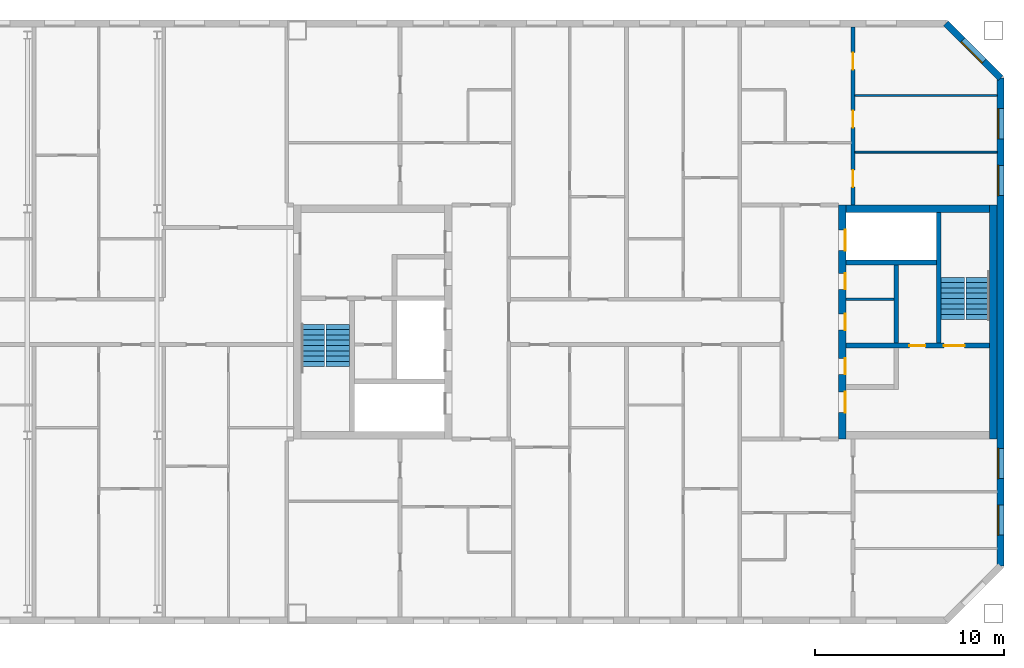
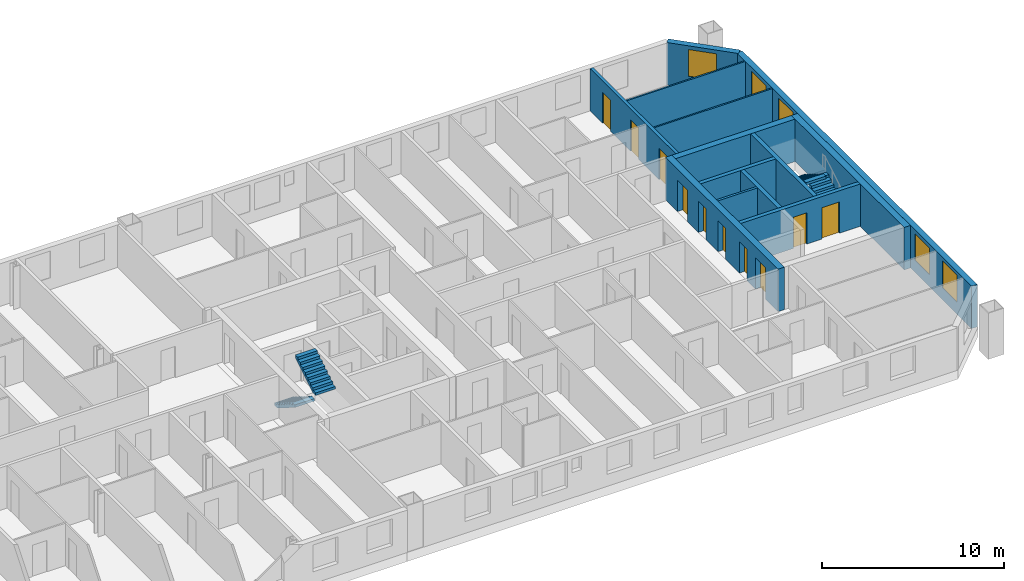
# One storey, part 17 of 19: 13 walls, 10 doors, 5 windows, 4 stair flights, 15 openings, 2 elements without a shape of their own.
"""IFC4 building model written with IfcOpenShell, lengths in metres."""

from ifc_helpers import new_model, si_unit, direction, frame, frame_2d, origin, place, context, subcontext, project, spatial, polyline, rectangle, outline, extrude, material, layer, layer_set, type_object, element, fill, aggregate, save


model = new_model("IFC4")

# Units and contexts
model_context = context("Model", 3, precision=1e-05, world=origin(), true_north=direction((0.0, 1.0)))
body_context = subcontext(model_context, "Body", "Model", "MODEL_VIEW")
ifc_project = project(units=[si_unit("LENGTHUNIT", "METRE"), si_unit("AREAUNIT", "SQUARE_METRE"), si_unit("VOLUMEUNIT", "CUBIC_METRE"), si_unit("PLANEANGLEUNIT", "RADIAN"), si_unit("MASSUNIT", "GRAM", prefix="KILO")], contexts=[model_context])

# Site, building, storey
site_placement = place(None, origin())
site = spatial("IfcSite", under=ifc_project, at=site_placement, CompositionType="ELEMENT")
building_placement = place(site_placement, origin())
building = spatial("IfcBuilding", under=site, at=building_placement, Name="Tuart Gate Housing", CompositionType="ELEMENT")
storey_placement = place(building_placement, frame((0.0, 0.0, 221.39990234375)))
storey = spatial("IfcBuildingStorey", under=building, at=storey_placement, Name="L62", CompositionType="ELEMENT", Elevation=221.39990234375)

# Wall, openings, windows
ifc_material_1 = material(Name="Brick", Category="masonry")
ifc_layer_1 = layer(ifc_material_1, 0.360107421875)
ifc_layer_set_1 = layer_set([ifc_layer_1], Name="Brick pier and spandrel wall 360")
wall_type_1 = type_object("IfcWallType", Name="Brick pier and spandrel wall 360", PredefinedType="STANDARD", material=ifc_layer_set_1)
wall_1_placement = place(storey_placement, frame((168.820068359375, 57.07470703125, 0.0), z_axis=(0.0, 0.0, 1.0), x_axis=(0.0, 1.0, 0.0)))
wall_1 = element("IfcWall", 1, at=wall_1_placement, inside=storey, type_object=wall_type_1, Name="External wall BLK-E L62", PredefinedType="STANDARD", context=body_context, shape_type="SweptSolid", body=[
    extrude(rectangle(XDim=25.850830078125, YDim=0.360107421875, at=frame_2d((12.92529296875, 0.0))), origin(), (0.0, 0.0, 1.0), 2.85009765625),
])
opening_1_placement = place(wall_1_placement, frame((1.62548828125, 0.0, 0.800048828125)))
opening_1 = element("IfcOpeningElement", 2, at=opening_1_placement, cuts=wall_1, Name="Opening W1", PredefinedType="OPENING", context=body_context, shape_type="SweptSolid", body=[
    extrude(rectangle(XDim=1.60009765625, YDim=1.800048828125, at=frame_2d((0.800048828125, 0.89990234375))), frame((0.0, 0.18994140625, 0.0), z_axis=(0.0, -1.0, 0.0), x_axis=(1.0, 0.0, 0.0)), (0.0, 0.0, 1.0), 0.380126953125),
])
opening_2_placement = place(wall_1_placement, frame((4.62548828125, 0.0, 0.800048828125)))
opening_2 = element("IfcOpeningElement", 3, at=opening_2_placement, cuts=wall_1, Name="Opening W1", PredefinedType="OPENING", context=body_context, shape_type="SweptSolid", body=[
    extrude(rectangle(XDim=1.60009765625, YDim=1.800048828125, at=frame_2d((0.800048828125, 0.89990234375))), frame((0.0, 0.18994140625, 0.0), z_axis=(0.0, -1.0, 0.0), x_axis=(1.0, 0.0, 0.0)), (0.0, 0.0, 1.0), 0.380126953125),
])
opening_3_placement = place(wall_1_placement, frame((19.62548828125, 0.0, 0.800048828125)))
opening_3 = element("IfcOpeningElement", 4, at=opening_3_placement, cuts=wall_1, Name="Opening W1", PredefinedType="OPENING", context=body_context, shape_type="SweptSolid", body=[
    extrude(rectangle(XDim=1.60009765625, YDim=1.800048828125, at=frame_2d((0.800048828125, 0.89990234375))), frame((0.0, 0.18994140625, 0.0), z_axis=(0.0, -1.0, 0.0), x_axis=(1.0, 0.0, 0.0)), (0.0, 0.0, 1.0), 0.380126953125),
])
opening_4_placement = place(wall_1_placement, frame((22.62548828125, 0.0, 0.800048828125)))
opening_4 = element("IfcOpeningElement", 5, at=opening_4_placement, cuts=wall_1, Name="Opening W1", PredefinedType="OPENING", context=body_context, shape_type="SweptSolid", body=[
    extrude(rectangle(XDim=1.60009765625, YDim=1.800048828125, at=frame_2d((0.800048828125, 0.89990234375))), frame((0.0, 0.18994140625, 0.0), z_axis=(0.0, -1.0, 0.0), x_axis=(1.0, 0.0, 0.0)), (0.0, 0.0, 1.0), 0.380126953125),
])
ifc_material_2 = material(Name="Aluminium frame with clear glass", Category="aluminium")
window_type = type_object("IfcWindowType", Name="Punched window 1600 x 1800", PartitioningType="SINGLE_PANEL", PredefinedType="WINDOW", material=ifc_material_2)
window_1_placement = place(opening_1_placement, origin())
window_1 = element("IfcWindow", 6, at=window_1_placement, inside=storey, type_object=window_type, Name="Window W1", OverallHeight=1.800048828125, OverallWidth=1.60009765625, PartitioningType="SINGLE_PANEL", PredefinedType="WINDOW", context=body_context, shape_type="SweptSolid", body=[
    extrude(rectangle(XDim=1.60009765625, YDim=1.800048828125, at=frame_2d((0.800048828125, 0.89990234375))), frame((0.0, 0.150146484375, 0.0), z_axis=(0.0, -1.0, 0.0), x_axis=(1.0, 0.0, 0.0)), (0.0, 0.0, 1.0), 0.06005859375),
])
fill(opening_1, window_1)
window_2_placement = place(opening_2_placement, origin())
window_2 = element("IfcWindow", 7, at=window_2_placement, inside=storey, type_object=window_type, Name="Window W1", OverallHeight=1.800048828125, OverallWidth=1.60009765625, PartitioningType="SINGLE_PANEL", PredefinedType="WINDOW", context=body_context, shape_type="SweptSolid", body=[
    extrude(rectangle(XDim=1.60009765625, YDim=1.800048828125, at=frame_2d((0.800048828125, 0.89990234375))), frame((0.0, 0.150146484375, 0.0), z_axis=(0.0, -1.0, 0.0), x_axis=(1.0, 0.0, 0.0)), (0.0, 0.0, 1.0), 0.06005859375),
])
fill(opening_2, window_2)
window_3_placement = place(opening_3_placement, origin())
window_3 = element("IfcWindow", 8, at=window_3_placement, inside=storey, type_object=window_type, Name="Window W1", OverallHeight=1.800048828125, OverallWidth=1.60009765625, PartitioningType="SINGLE_PANEL", PredefinedType="WINDOW", context=body_context, shape_type="SweptSolid", body=[
    extrude(rectangle(XDim=1.60009765625, YDim=1.800048828125, at=frame_2d((0.800048828125, 0.89990234375))), frame((0.0, 0.150146484375, 0.0), z_axis=(0.0, -1.0, 0.0), x_axis=(1.0, 0.0, 0.0)), (0.0, 0.0, 1.0), 0.06005859375),
])
fill(opening_3, window_3)
window_4_placement = place(opening_4_placement, origin())
window_4 = element("IfcWindow", 9, at=window_4_placement, inside=storey, type_object=window_type, Name="Window W1", OverallHeight=1.800048828125, OverallWidth=1.60009765625, PartitioningType="SINGLE_PANEL", PredefinedType="WINDOW", context=body_context, shape_type="SweptSolid", body=[
    extrude(rectangle(XDim=1.60009765625, YDim=1.800048828125, at=frame_2d((0.800048828125, 0.89990234375))), frame((0.0, 0.150146484375, 0.0), z_axis=(0.0, -1.0, 0.0), x_axis=(1.0, 0.0, 0.0)), (0.0, 0.0, 1.0), 0.06005859375),
])
fill(opening_4, window_4)

# Wall, opening, window
wall_2_placement = place(storey_placement, frame((168.820068359375, 82.92529296875, 0.0), z_axis=(0.0, 0.0, 1.0), x_axis=(-0.707106781187, 0.707106781187, 0.0)))
wall_2 = element("IfcWall", 10, at=wall_2_placement, inside=storey, type_object=wall_type_1, Name="External wall BLK-NE L62", PredefinedType="STANDARD", context=body_context, shape_type="SweptSolid", body=[
    extrude(rectangle(XDim=4.09375, YDim=0.360107421875, at=frame_2d((2.046875, 0.0))), origin(), (0.0, 0.0, 1.0), 2.85009765625),
])
opening_5_placement = place(wall_2_placement, frame((1.2470703125, 0.0, 0.800048828125)))
opening_5 = element("IfcOpeningElement", 11, at=opening_5_placement, cuts=wall_2, Name="Opening W1", PredefinedType="OPENING", context=body_context, shape_type="SweptSolid", body=[
    extrude(rectangle(XDim=1.60009765625, YDim=1.800048828125, at=frame_2d((0.800048828125, 0.89990234375))), frame((0.0, 0.18994140625, 0.0), z_axis=(0.0, -1.0, 0.0), x_axis=(1.0, 0.0, 0.0)), (0.0, 0.0, 1.0), 0.380126953125),
])
window_5_placement = place(opening_5_placement, origin())
window_5 = element("IfcWindow", 12, at=window_5_placement, inside=storey, type_object=window_type, Name="Window W1", OverallHeight=1.800048828125, OverallWidth=1.60009765625, PartitioningType="SINGLE_PANEL", PredefinedType="WINDOW", context=body_context, shape_type="SweptSolid", body=[
    extrude(rectangle(XDim=1.60009765625, YDim=1.800048828125, at=frame_2d((0.800048828125, 0.89990234375))), frame((0.0, 0.150146484375, 0.0), z_axis=(0.0, -1.0, 0.0), x_axis=(1.0, 0.0, 0.0)), (0.0, 0.0, 1.0), 0.06005859375),
])
fill(opening_5, window_5)

# Walls
ifc_material_3 = material(Name="Plasterboard partition")
ifc_layer_2 = layer(ifc_material_3, 0.14990234375)
ifc_layer_set_2 = layer_set([ifc_layer_2], Name="Core partition 150")
wall_type_2 = type_object("IfcWallType", Name="Core partition 150", PredefinedType="PARTITIONING", material=ifc_layer_set_2)
wall_3_placement = place(storey_placement, frame((160.639892578125, 71.199951171875, 0.0), z_axis=(0.0, 0.0, 1.0), x_axis=(1.0, 0.0, 0.0)))
element("IfcWall", 13, at=wall_3_placement, inside=storey, type_object=wall_type_2, Name="Core partition BK.2", PredefinedType="PARTITIONING", context=body_context, shape_type="SweptSolid", body=[
    extrude(rectangle(XDim=2.525146484375, YDim=0.14990234375, at=frame_2d((1.2626953125, 0.0))), origin(), (0.0, 0.0, 1.0), 2.85009765625),
])
ifc_material_4 = material(Name="Concrete C40", Category="concrete")
ifc_layer_3 = layer(ifc_material_4, 0.25)
ifc_layer_set_3 = layer_set([ifc_layer_3], Name="Core wall 250 C40")
wall_type_3 = type_object("IfcWallType", Name="Core wall 250 C40", PredefinedType="SHEAR", material=ifc_layer_set_3)
wall_4_placement = place(storey_placement, frame((160.639892578125, 73.14990234375, 0.0), z_axis=(0.0, 0.0, 1.0), x_axis=(1.0, 0.0, 0.0)))
element("IfcWall", 14, at=wall_4_placement, inside=storey, type_object=wall_type_3, Name="Core wall BK.1", PredefinedType="SHEAR", context=body_context, shape_type="SweptSolid", body=[
    extrude(rectangle(XDim=4.775146484375, YDim=0.25, at=frame_2d((2.3876953125, 0.0))), origin(), (0.0, 0.0, 1.0), 2.85009765625),
])

# Wall, openings, doors
wall_5_placement = place(storey_placement, frame((160.639892578125, 68.75, 0.0), z_axis=(0.0, 0.0, 1.0), x_axis=(1.0, 0.0, 0.0)))
wall_5 = element("IfcWall", 15, at=wall_5_placement, inside=storey, type_object=wall_type_3, Name="Core wall BK.3", PredefinedType="SHEAR", context=body_context, shape_type="SweptSolid", body=[
    extrude(rectangle(XDim=7.60009765625, YDim=0.25, at=frame_2d((3.800048828125, 0.0))), origin(), (0.0, 0.0, 1.0), 2.85009765625),
])
opening_6_placement = place(wall_5_placement, frame((5.175048828125, 0.0, 0.0)))
opening_6 = element("IfcOpeningElement", 16, at=opening_6_placement, cuts=wall_5, Name="Opening D2425", PredefinedType="OPENING", context=body_context, shape_type="SweptSolid", body=[
    extrude(rectangle(XDim=1.10009765625, YDim=2.10009765625, at=frame_2d((0.550048828125, 1.050048828125))), frame((0.0, 0.135009765625, 0.0), z_axis=(0.0, -1.0, 0.0), x_axis=(1.0, 0.0, 0.0)), (0.0, 0.0, 1.0), 0.27001953125),
])
opening_7_placement = place(wall_5_placement, frame((3.35009765625, 0.0, 0.0)))
opening_7 = element("IfcOpeningElement", 17, at=opening_7_placement, cuts=wall_5, Name="Opening D2424", PredefinedType="OPENING", context=body_context, shape_type="SweptSolid", body=[
    extrude(rectangle(XDim=0.85009765625, YDim=2.10009765625, at=frame_2d((0.425048828125, 1.050048828125))), frame((0.0, 0.135009765625, 0.0), z_axis=(0.0, -1.0, 0.0), x_axis=(1.0, 0.0, 0.0)), (0.0, 0.0, 1.0), 0.27001953125),
])
ifc_material_5 = material(Name="Steel fire door", Category="steel")
door_type_1 = type_object("IfcDoorType", Name="Riser door 850 x 2100", OperationType="SINGLE_SWING_LEFT", PredefinedType="DOOR", material=ifc_material_5)
door_1_placement = place(opening_7_placement, origin())
door_1 = element("IfcDoor", 18, at=door_1_placement, inside=storey, type_object=door_type_1, Name="Service room door BK.W1", OperationType="SINGLE_SWING_LEFT", OverallHeight=2.10009765625, OverallWidth=0.85009765625, PredefinedType="DOOR", context=body_context, shape_type="SweptSolid", body=[
    extrude(rectangle(XDim=0.85009765625, YDim=2.10009765625, at=frame_2d((0.425048828125, 1.050048828125))), frame((0.0, 0.02490234375, 0.0), z_axis=(0.0, -1.0, 0.0), x_axis=(1.0, 0.0, 0.0)), (0.0, 0.0, 1.0), 0.050048828125),
])
fill(opening_7, door_1)
ifc_material_6 = material(Name="Steel fire door", Category="steel")
door_type_2 = type_object("IfcDoorType", Name="Stair door 1100 x 2100", OperationType="SINGLE_SWING_LEFT", PredefinedType="DOOR", material=ifc_material_6)
door_2_placement = place(opening_6_placement, origin())
door_2 = element("IfcDoor", 19, at=door_2_placement, inside=storey, type_object=door_type_2, Name="Stair door BK.SD", OperationType="SINGLE_SWING_LEFT", OverallHeight=2.10009765625, OverallWidth=1.10009765625, PredefinedType="DOOR", context=body_context, shape_type="SweptSolid", body=[
    extrude(rectangle(XDim=1.10009765625, YDim=2.10009765625, at=frame_2d((0.550048828125, 1.050048828125))), frame((0.0, 0.02490234375, 0.0), z_axis=(0.0, -1.0, 0.0), x_axis=(1.0, 0.0, 0.0)), (0.0, 0.0, 1.0), 0.050048828125),
])
fill(opening_6, door_2)

# Walls
wall_6_placement = place(storey_placement, frame((163.2900390625, 73.02490234375, 0.0), z_axis=(0.0, 0.0, 1.0), x_axis=(0.0, -1.0, 0.0)))
element("IfcWall", 20, at=wall_6_placement, inside=storey, type_object=wall_type_3, Name="Core wall BK.5", PredefinedType="SHEAR", context=body_context, shape_type="SweptSolid", body=[
    extrude(rectangle(XDim=4.14990234375, YDim=0.25, at=frame_2d((2.074951171875, 0.0))), origin(), (0.0, 0.0, 1.0), 2.85009765625),
])
wall_7_placement = place(storey_placement, frame((165.5400390625, 75.800048828125, 0.0), z_axis=(0.0, 0.0, 1.0), x_axis=(0.0, -1.0, 0.0)))
element("IfcWall", 21, at=wall_7_placement, inside=storey, type_object=wall_type_3, Name="Core wall BK.7", PredefinedType="SHEAR", context=body_context, shape_type="SweptSolid", body=[
    extrude(rectangle(XDim=6.925048828125, YDim=0.25, at=frame_2d((3.46240234375, 0.0))), origin(), (0.0, 0.0, 1.0), 2.85009765625),
])

# Wall, openings, doors
ifc_material_7 = material(Name="Concrete C40", Category="concrete")
ifc_layer_4 = layer(ifc_material_7, 0.39990234375)
ifc_layer_set_4 = layer_set([ifc_layer_4], Name="Core wall 400 C40")
wall_type_4 = type_object("IfcWallType", Name="Core wall 400 C40", PredefinedType="SHEAR", material=ifc_layer_set_4)
wall_8_placement = place(storey_placement, frame((160.43994140625, 76.199951171875, 0.0), z_axis=(0.0, 0.0, 1.0), x_axis=(0.0, -1.0, 0.0)))
wall_8 = element("IfcWall", 22, at=wall_8_placement, inside=storey, type_object=wall_type_4, Name="Core wall BK front", PredefinedType="SHEAR", context=body_context, shape_type="SweptSolid", body=[
    extrude(rectangle(XDim=12.39990234375, YDim=0.39990234375, at=frame_2d((6.199951171875, 0.0))), origin(), (0.0, 0.0, 1.0), 2.85009765625),
])
opening_8_placement = place(wall_8_placement, frame((1.324951171875, 0.0, 0.0)))
opening_8 = element("IfcOpeningElement", 23, at=opening_8_placement, cuts=wall_8, Name="Opening LD-FB2", PredefinedType="OPENING", context=body_context, shape_type="SweptSolid", body=[
    extrude(rectangle(XDim=1.10009765625, YDim=2.10009765625, at=frame_2d((0.550048828125, 1.050048828125))), frame((0.0, 0.2099609375, 0.0), z_axis=(0.0, -1.0, 0.0), x_axis=(1.0, 0.0, 0.0)), (0.0, 0.0, 1.0), 0.419921875),
])
opening_9_placement = place(wall_8_placement, frame((3.625, 0.0, 0.0)))
opening_9 = element("IfcOpeningElement", 24, at=opening_9_placement, cuts=wall_8, Name="Opening D2418", PredefinedType="OPENING", context=body_context, shape_type="SweptSolid", body=[
    extrude(rectangle(XDim=0.85009765625, YDim=2.10009765625, at=frame_2d((0.425048828125, 1.050048828125))), frame((0.0, 0.2099609375, 0.0), z_axis=(0.0, -1.0, 0.0), x_axis=(1.0, 0.0, 0.0)), (0.0, 0.0, 1.0), 0.419921875),
])
opening_10_placement = place(wall_8_placement, frame((5.77490234375, 0.0, 0.0)))
opening_10 = element("IfcOpeningElement", 25, at=opening_10_placement, cuts=wall_8, Name="Opening D2419", PredefinedType="OPENING", context=body_context, shape_type="SweptSolid", body=[
    extrude(rectangle(XDim=0.85009765625, YDim=2.10009765625, at=frame_2d((0.425048828125, 1.050048828125))), frame((0.0, 0.2099609375, 0.0), z_axis=(0.0, -1.0, 0.0), x_axis=(1.0, 0.0, 0.0)), (0.0, 0.0, 1.0), 0.419921875),
])
opening_11_placement = place(wall_8_placement, frame((9.89990234375, 0.0, 0.0)))
opening_11 = element("IfcOpeningElement", 26, at=opening_11_placement, cuts=wall_8, Name="Opening D2417", PredefinedType="OPENING", context=body_context, shape_type="SweptSolid", body=[
    extrude(rectangle(XDim=1.10009765625, YDim=2.10009765625, at=frame_2d((0.550048828125, 1.050048828125))), frame((0.0, 0.2099609375, 0.0), z_axis=(0.0, -1.0, 0.0), x_axis=(1.0, 0.0, 0.0)), (0.0, 0.0, 1.0), 0.419921875),
])
opening_12_placement = place(wall_8_placement, frame((8.125, 0.0, 0.0)))
opening_12 = element("IfcOpeningElement", 27, at=opening_12_placement, cuts=wall_8, Name="Opening D2420", PredefinedType="OPENING", context=body_context, shape_type="SweptSolid", body=[
    extrude(rectangle(XDim=0.85009765625, YDim=2.10009765625, at=frame_2d((0.425048828125, 1.050048828125))), frame((0.0, 0.2099609375, 0.0), z_axis=(0.0, -1.0, 0.0), x_axis=(1.0, 0.0, 0.0)), (0.0, 0.0, 1.0), 0.419921875),
])
ifc_material_8 = material(Name="Stainless steel", Category="steel")
door_type_3 = type_object("IfcDoorType", Name="Landing door 1100 x 2100", OperationType="DOUBLE_DOOR_SLIDING", PredefinedType="DOOR", material=ifc_material_8)
door_3_placement = place(opening_8_placement, origin())
door_3 = element("IfcDoor", 28, at=door_3_placement, inside=storey, type_object=door_type_3, Name="Lift landing door FB2", OperationType="DOUBLE_DOOR_SLIDING", OverallHeight=2.10009765625, OverallWidth=1.10009765625, PredefinedType="DOOR", context=body_context, shape_type="SweptSolid", body=[
    extrude(rectangle(XDim=1.10009765625, YDim=2.10009765625, at=frame_2d((0.550048828125, 1.050048828125))), frame((0.0, 0.18505859375, 0.0), z_axis=(0.0, -1.0, 0.0), x_axis=(1.0, 0.0, 0.0)), (0.0, 0.0, 1.0), 0.050048828125),
])
fill(opening_8, door_3)
ifc_material_9 = material(Name="Steel fire door", Category="steel")
door_type_4 = type_object("IfcDoorType", Name="Lobby door 1100 x 2100", OperationType="SINGLE_SWING_LEFT", PredefinedType="DOOR", material=ifc_material_9)
door_4_placement = place(opening_11_placement, origin())
door_4 = element("IfcDoor", 29, at=door_4_placement, inside=storey, type_object=door_type_4, Name="Lobby entry door BK.EN", OperationType="SINGLE_SWING_LEFT", OverallHeight=2.10009765625, OverallWidth=1.10009765625, PredefinedType="DOOR", context=body_context, shape_type="SweptSolid", body=[
    extrude(rectangle(XDim=1.10009765625, YDim=2.10009765625, at=frame_2d((0.550048828125, 1.050048828125))), frame((0.0, 0.18505859375, 0.0), z_axis=(0.0, -1.0, 0.0), x_axis=(1.0, 0.0, 0.0)), (0.0, 0.0, 1.0), 0.050048828125),
])
fill(opening_11, door_4)
ifc_material_10 = material(Name="Steel fire door", Category="steel")
door_type_5 = type_object("IfcDoorType", Name="Service door 850 x 2100", OperationType="SINGLE_SWING_LEFT", PredefinedType="DOOR", material=ifc_material_10)
door_5_placement = place(opening_9_placement, origin())
door_5 = element("IfcDoor", 30, at=door_5_placement, inside=storey, type_object=door_type_5, Name="Service room door BK.FR1", OperationType="SINGLE_SWING_LEFT", OverallHeight=2.10009765625, OverallWidth=0.85009765625, PredefinedType="DOOR", context=body_context, shape_type="SweptSolid", body=[
    extrude(rectangle(XDim=0.85009765625, YDim=2.10009765625, at=frame_2d((0.425048828125, 1.050048828125))), frame((0.0, 0.18505859375, 0.0), z_axis=(0.0, -1.0, 0.0), x_axis=(1.0, 0.0, 0.0)), (0.0, 0.0, 1.0), 0.050048828125),
])
fill(opening_9, door_5)
door_6_placement = place(opening_10_placement, origin())
door_6 = element("IfcDoor", 31, at=door_6_placement, inside=storey, type_object=door_type_5, Name="Service room door BK.FR2", OperationType="SINGLE_SWING_LEFT", OverallHeight=2.10009765625, OverallWidth=0.85009765625, PredefinedType="DOOR", context=body_context, shape_type="SweptSolid", body=[
    extrude(rectangle(XDim=0.85009765625, YDim=2.10009765625, at=frame_2d((0.425048828125, 1.050048828125))), frame((0.0, 0.18505859375, 0.0), z_axis=(0.0, -1.0, 0.0), x_axis=(1.0, 0.0, 0.0)), (0.0, 0.0, 1.0), 0.050048828125),
])
fill(opening_10, door_6)
door_7_placement = place(opening_12_placement, origin())
door_7 = element("IfcDoor", 32, at=door_7_placement, inside=storey, type_object=door_type_5, Name="Service room door BK.T1", OperationType="SINGLE_SWING_LEFT", OverallHeight=2.10009765625, OverallWidth=0.85009765625, PredefinedType="DOOR", context=body_context, shape_type="SweptSolid", body=[
    extrude(rectangle(XDim=0.85009765625, YDim=2.10009765625, at=frame_2d((0.425048828125, 1.050048828125))), frame((0.0, 0.18505859375, 0.0), z_axis=(0.0, -1.0, 0.0), x_axis=(1.0, 0.0, 0.0)), (0.0, 0.0, 1.0), 0.050048828125),
])
fill(opening_12, door_7)

# Walls
wall_9_placement = place(storey_placement, frame((168.43994140625, 76.199951171875, 0.0), z_axis=(0.0, 0.0, 1.0), x_axis=(0.0, -1.0, 0.0)))
element("IfcWall", 33, at=wall_9_placement, inside=storey, type_object=wall_type_4, Name="Core wall BK back", PredefinedType="SHEAR", context=body_context, shape_type="SweptSolid", body=[
    extrude(rectangle(XDim=12.39990234375, YDim=0.39990234375, at=frame_2d((6.199951171875, 0.0))), origin(), (0.0, 0.0, 1.0), 2.85009765625),
])
wall_10_placement = place(storey_placement, frame((160.639892578125, 76.0, 0.0), z_axis=(0.0, 0.0, 1.0), x_axis=(1.0, 0.0, 0.0)))
element("IfcWall", 34, at=wall_10_placement, inside=storey, type_object=wall_type_4, Name="Core wall BK south", PredefinedType="SHEAR", context=body_context, shape_type="SweptSolid", body=[
    extrude(rectangle(XDim=7.60009765625, YDim=0.39990234375, at=frame_2d((3.800048828125, 0.0))), origin(), (0.0, 0.0, 1.0), 2.85009765625),
])
ifc_material_11 = material(Name="Gypsum board on steel studs", Category="steel")
ifc_layer_5 = layer(ifc_material_11, 0.10009765625)
ifc_layer_set_5 = layer_set([ifc_layer_5], Name="Partition 100")
wall_type_5 = type_object("IfcWallType", Name="Partition 100", PredefinedType="PARTITIONING", material=ifc_layer_set_5)
for number, where, z_axis, x_axis, name in (
    (35, (161.10009765625, 79.0, 0.0), (0.0, 0.0, 1.0), (1.0, 0.0, 0.0), "Partition 100"),
    (36, (161.10009765625, 82.0, 0.0), (0.0, 0.0, 1.0), (1.0, 0.0, 0.0), "Partition 100"),
):
    element("IfcWall", number, at=place(storey_placement, frame(where, z_axis=z_axis, x_axis=x_axis)), inside=storey, type_object=wall_type_5, Name=name, PredefinedType="PARTITIONING", context=body_context, shape_type="SweptSolid", body=[
        extrude(rectangle(XDim=7.539794921875, YDim=0.10009765625, at=frame_2d((3.77001953125, 0.0))), origin(), (0.0, 0.0, 1.0), 2.85009765625),
    ])

# Wall, openings, doors
ifc_material_12 = material(Name="Concrete C40", Category="concrete")
ifc_layer_6 = layer(ifc_material_12, 0.199951171875)
ifc_layer_set_6 = layer_set([ifc_layer_6], Name="Party wall concrete C40 200")
wall_type_6 = type_object("IfcWallType", Name="Party wall concrete C40 200", PredefinedType="SOLIDWALL", material=ifc_layer_set_6)
wall_11_placement = place(storey_placement, frame((161.0, 76.199951171875, 0.0), z_axis=(0.0, 0.0, 1.0), x_axis=(0.0, 1.0, 0.0)))
wall_11 = element("IfcWall", 37, at=wall_11_placement, inside=storey, type_object=wall_type_6, Name="Party wall concrete C40 200", PredefinedType="SOLIDWALL", context=body_context, shape_type="SweptSolid", body=[
    extrude(rectangle(XDim=9.43994140625, YDim=0.199951171875, at=frame_2d((4.719970703125, 0.0))), origin(), (0.0, 0.0, 1.0), 2.85009765625),
])
opening_13_placement = place(wall_11_placement, frame((7.169921875, 0.0, 0.0)))
opening_13 = element("IfcOpeningElement", 38, at=opening_13_placement, cuts=wall_11, Name="Opening D2393", PredefinedType="OPENING", context=body_context, shape_type="SweptSolid", body=[
    extrude(rectangle(XDim=0.89990234375, YDim=2.10009765625, at=frame_2d((0.449951171875, 1.050048828125))), frame((0.0, 0.10986328125, 0.0), z_axis=(0.0, -1.0, 0.0), x_axis=(1.0, 0.0, 0.0)), (0.0, 0.0, 1.0), 0.219970703125),
])
opening_14_placement = place(wall_11_placement, frame((4.10009765625, 0.0, 0.0)))
opening_14 = element("IfcOpeningElement", 39, at=opening_14_placement, cuts=wall_11, Name="Opening D2394", PredefinedType="OPENING", context=body_context, shape_type="SweptSolid", body=[
    extrude(rectangle(XDim=0.89990234375, YDim=2.10009765625, at=frame_2d((0.449951171875, 1.050048828125))), frame((0.0, 0.10986328125, 0.0), z_axis=(0.0, -1.0, 0.0), x_axis=(1.0, 0.0, 0.0)), (0.0, 0.0, 1.0), 0.219970703125),
])
opening_15_placement = place(wall_11_placement, frame((0.949951171875, 0.0, 0.0)))
opening_15 = element("IfcOpeningElement", 40, at=opening_15_placement, cuts=wall_11, Name="Opening D2395", PredefinedType="OPENING", context=body_context, shape_type="SweptSolid", body=[
    extrude(rectangle(XDim=0.89990234375, YDim=2.10009765625, at=frame_2d((0.449951171875, 1.050048828125))), frame((0.0, 0.10986328125, 0.0), z_axis=(0.0, -1.0, 0.0), x_axis=(1.0, 0.0, 0.0)), (0.0, 0.0, 1.0), 0.219970703125),
])
ifc_material_13 = material(Name="Timber door leaf in steel frame", Category="steel")
door_type_6 = type_object("IfcDoorType", Name="Internal door 900", OperationType="SINGLE_SWING_LEFT", PredefinedType="DOOR", material=ifc_material_13)
door_8_placement = place(opening_14_placement, frame((0.89990234375, 0.0, 0.0), z_axis=(0.0, 0.0, 1.0), x_axis=(-1.0, 0.0, 0.0)))
door_8 = element("IfcDoor", 41, at=door_8_placement, inside=storey, type_object=door_type_6, Name="Internal door", OperationType="SINGLE_SWING_LEFT", OverallHeight=2.10009765625, OverallWidth=0.89990234375, PredefinedType="DOOR", context=body_context, shape_type="SweptSolid", body=[
    extrude(rectangle(XDim=0.89990234375, YDim=2.10009765625, at=frame_2d((0.449951171875, 1.050048828125))), frame((0.0, 0.025146484375, 0.0), z_axis=(0.0, -1.0, 0.0), x_axis=(1.0, 0.0, 0.0)), (0.0, 0.0, 1.0), 0.050048828125),
])
fill(opening_14, door_8)
ifc_material_14 = material(Name="Timber door leaf in steel frame", Category="steel")
door_type_7 = type_object("IfcDoorType", Name="Internal door 900 RH", OperationType="SINGLE_SWING_RIGHT", PredefinedType="DOOR", material=ifc_material_14)
door_9_placement = place(opening_13_placement, frame((0.89990234375, 0.0, 0.0), z_axis=(0.0, 0.0, 1.0), x_axis=(-1.0, 0.0, 0.0)))
door_9 = element("IfcDoor", 42, at=door_9_placement, inside=storey, type_object=door_type_7, Name="Internal door", OperationType="SINGLE_SWING_RIGHT", OverallHeight=2.10009765625, OverallWidth=0.89990234375, PredefinedType="DOOR", context=body_context, shape_type="SweptSolid", body=[
    extrude(rectangle(XDim=0.89990234375, YDim=2.10009765625, at=frame_2d((0.449951171875, 1.050048828125))), frame((0.0, 0.025146484375, 0.0), z_axis=(0.0, -1.0, 0.0), x_axis=(1.0, 0.0, 0.0)), (0.0, 0.0, 1.0), 0.050048828125),
])
fill(opening_13, door_9)
door_10_placement = place(opening_15_placement, frame((0.89990234375, 0.0, 0.0), z_axis=(0.0, 0.0, 1.0), x_axis=(-1.0, 0.0, 0.0)))
door_10 = element("IfcDoor", 43, at=door_10_placement, inside=storey, type_object=door_type_7, Name="Internal door", OperationType="SINGLE_SWING_RIGHT", OverallHeight=2.10009765625, OverallWidth=0.89990234375, PredefinedType="DOOR", context=body_context, shape_type="SweptSolid", body=[
    extrude(rectangle(XDim=0.89990234375, YDim=2.10009765625, at=frame_2d((0.449951171875, 1.050048828125))), frame((0.0, 0.025146484375, 0.0), z_axis=(0.0, -1.0, 0.0), x_axis=(1.0, 0.0, 0.0)), (0.0, 0.0, 1.0), 0.050048828125),
])
fill(opening_15, door_10)

# Stair, stair flights
ifc_material_15 = material(Name="Concrete C40", Category="concrete")
stair_type = type_object("IfcStairType", Name="Core stair 1250", PredefinedType="HALF_TURN_STAIR", material=ifc_material_15)
stair_1_placement = place(storey_placement, origin())
stair_1 = element("IfcStair", 44, at=stair_1_placement, inside=storey, type_object=stair_type, Name="Stair SB1", PredefinedType="HALF_TURN_STAIR")
ifc_material_16 = material(Name="Concrete C40", Category="concrete")
stair_flight_type = type_object("IfcStairFlightType", Name="Stair flight 1250, 9 risers 172 x 280", PredefinedType="STRAIGHT", material=ifc_material_16)
stair_flight_1_placement = place(storey_placement, frame((132.385009765625, 69.875, 0.0), z_axis=(0.0, 0.0, 1.0), x_axis=(0.0, -1.0, 0.0)))
stair_flight_1 = element("IfcStairFlight", 45, at=stair_flight_1_placement, type_object=stair_flight_type, Name="SB1 flight 1", NumberOfRisers=9, NumberOfTreads=8, PredefinedType="STRAIGHT", RiserHeight=0.172222222, TreadLength=0.28, context=body_context, shape_type="SweptSolid", body=[
    extrude(outline(polyline([(0.0, 0.0), (0.0, 0.172119140625), (0.280029296875, 0.172119140625), (0.280029296875, 0.344482421875), (0.56005859375, 0.344482421875), (0.56005859375, 0.5166015625), (0.840087890625, 0.5166015625), (0.840087890625, 0.68896484375), (1.1201171875, 0.68896484375), (1.1201171875, 0.861083984375), (1.39990234375, 0.861083984375), (1.39990234375, 1.033447265625), (1.679931640625, 1.033447265625), (1.679931640625, 1.20556640625), (1.9599609375, 1.20556640625), (1.9599609375, 1.377685546875), (2.239990234375, 1.377685546875), (2.239990234375, 1.550048828125), (2.239990234375, 1.201904296875), (0.2861328125, 0.0), (0.0, 0.0)])), frame((0.0, 0.625, 0.0), z_axis=(0.0, -1.0, 0.0), x_axis=(1.0, 0.0, 0.0)), (0.0, 0.0, 1.0), 1.25),
])
stair_flight_2_placement = place(storey_placement, frame((133.7099609375, 67.635009765625, 1.550048828125), z_axis=(0.0, 0.0, 1.0), x_axis=(0.0, 1.0, 0.0)))
stair_flight_2 = element("IfcStairFlight", 46, at=stair_flight_2_placement, type_object=stair_flight_type, Name="SB1 flight 2", NumberOfRisers=9, NumberOfTreads=8, PredefinedType="STRAIGHT", RiserHeight=0.172222222, TreadLength=0.28, context=body_context, shape_type="SweptSolid", body=[
    extrude(outline(polyline([(0.0, 0.0), (0.0, 0.172119140625), (0.280029296875, 0.172119140625), (0.280029296875, 0.344482421875), (0.56005859375, 0.344482421875), (0.56005859375, 0.5166015625), (0.840087890625, 0.5166015625), (0.840087890625, 0.68896484375), (1.1201171875, 0.68896484375), (1.1201171875, 0.861083984375), (1.39990234375, 0.861083984375), (1.39990234375, 1.033447265625), (1.679931640625, 1.033447265625), (1.679931640625, 1.20556640625), (1.9599609375, 1.20556640625), (1.9599609375, 1.377685546875), (2.239990234375, 1.377685546875), (2.239990234375, 1.550048828125), (2.239990234375, 1.201904296875), (0.2861328125, 0.0), (0.0, 0.0)])), frame((0.0, 0.625, 0.0), z_axis=(0.0, -1.0, 0.0), x_axis=(1.0, 0.0, 0.0)), (0.0, 0.0, 1.0), 1.25),
])
aggregate(stair_1, [stair_flight_1, stair_flight_2])

stair_2_placement = place(storey_placement, origin())
stair_2 = element("IfcStair", 47, at=stair_2_placement, inside=storey, type_object=stair_type, Name="Stair SB2", PredefinedType="HALF_TURN_STAIR")
stair_flight_3_placement = place(storey_placement, frame((167.614990234375, 70.125, 0.0), z_axis=(0.0, 0.0, 1.0), x_axis=(0.0, 1.0, 0.0)))
stair_flight_3 = element("IfcStairFlight", 48, at=stair_flight_3_placement, type_object=stair_flight_type, Name="SB2 flight 1", NumberOfRisers=9, NumberOfTreads=8, PredefinedType="STRAIGHT", RiserHeight=0.172222222, TreadLength=0.28, context=body_context, shape_type="SweptSolid", body=[
    extrude(outline(polyline([(0.0, 0.0), (0.0, 0.172119140625), (0.280029296875, 0.172119140625), (0.280029296875, 0.344482421875), (0.56005859375, 0.344482421875), (0.56005859375, 0.5166015625), (0.840087890625, 0.5166015625), (0.840087890625, 0.68896484375), (1.1201171875, 0.68896484375), (1.1201171875, 0.861083984375), (1.39990234375, 0.861083984375), (1.39990234375, 1.033447265625), (1.679931640625, 1.033447265625), (1.679931640625, 1.20556640625), (1.9599609375, 1.20556640625), (1.9599609375, 1.377685546875), (2.239990234375, 1.377685546875), (2.239990234375, 1.550048828125), (2.239990234375, 1.201904296875), (0.2861328125, 0.0), (0.0, 0.0)])), frame((0.0, 0.625, 0.0), z_axis=(0.0, -1.0, 0.0), x_axis=(1.0, 0.0, 0.0)), (0.0, 0.0, 1.0), 1.25),
])
stair_flight_4_placement = place(storey_placement, frame((166.2900390625, 72.364990234375, 1.550048828125), z_axis=(0.0, 0.0, 1.0), x_axis=(0.0, -1.0, 0.0)))
stair_flight_4 = element("IfcStairFlight", 49, at=stair_flight_4_placement, type_object=stair_flight_type, Name="SB2 flight 2", NumberOfRisers=9, NumberOfTreads=8, PredefinedType="STRAIGHT", RiserHeight=0.172222222, TreadLength=0.28, context=body_context, shape_type="SweptSolid", body=[
    extrude(outline(polyline([(0.0, 0.0), (0.0, 0.172119140625), (0.280029296875, 0.172119140625), (0.280029296875, 0.344482421875), (0.56005859375, 0.344482421875), (0.56005859375, 0.5166015625), (0.840087890625, 0.5166015625), (0.840087890625, 0.68896484375), (1.1201171875, 0.68896484375), (1.1201171875, 0.861083984375), (1.39990234375, 0.861083984375), (1.39990234375, 1.033447265625), (1.679931640625, 1.033447265625), (1.679931640625, 1.20556640625), (1.9599609375, 1.20556640625), (1.9599609375, 1.377685546875), (2.239990234375, 1.377685546875), (2.239990234375, 1.550048828125), (2.239990234375, 1.201904296875), (0.2861328125, 0.0), (0.0, 0.0)])), frame((0.0, 0.625, 0.0), z_axis=(0.0, -1.0, 0.0), x_axis=(1.0, 0.0, 0.0)), (0.0, 0.0, 1.0), 1.25),
])
aggregate(stair_2, [stair_flight_3, stair_flight_4])

save(model, "model.ifc")
